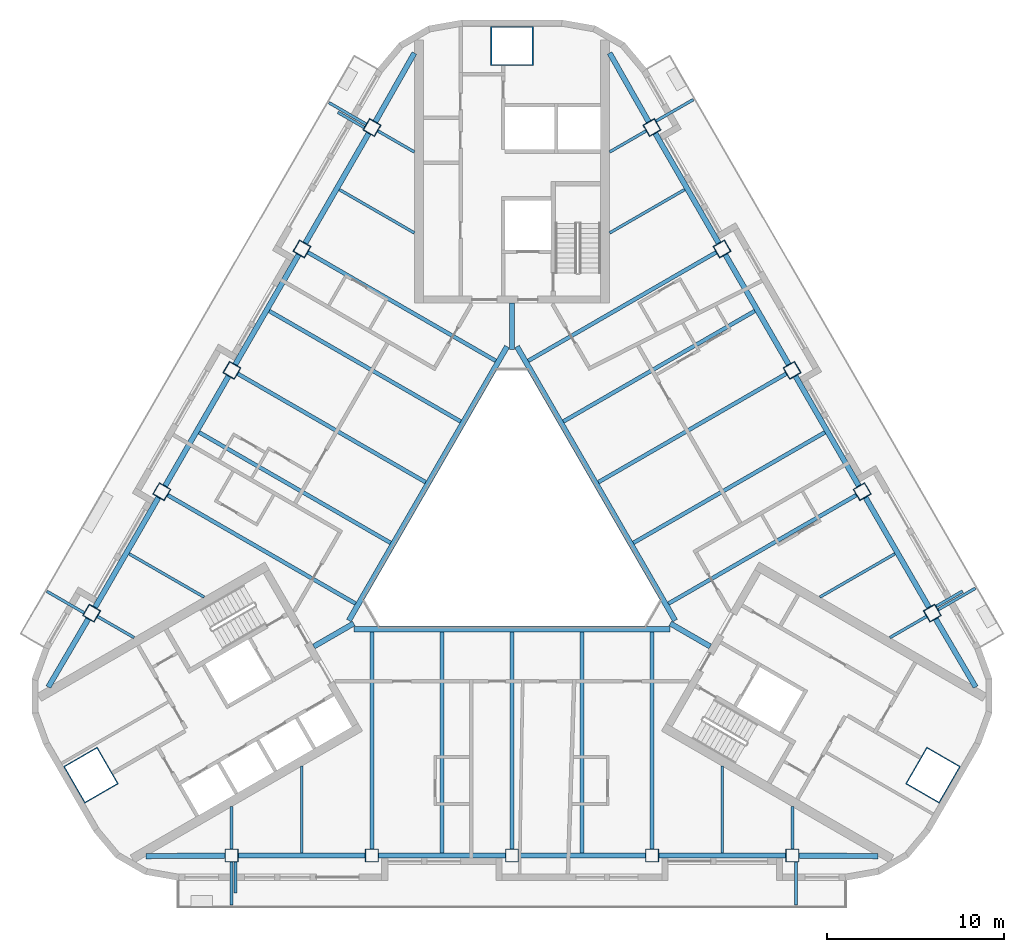
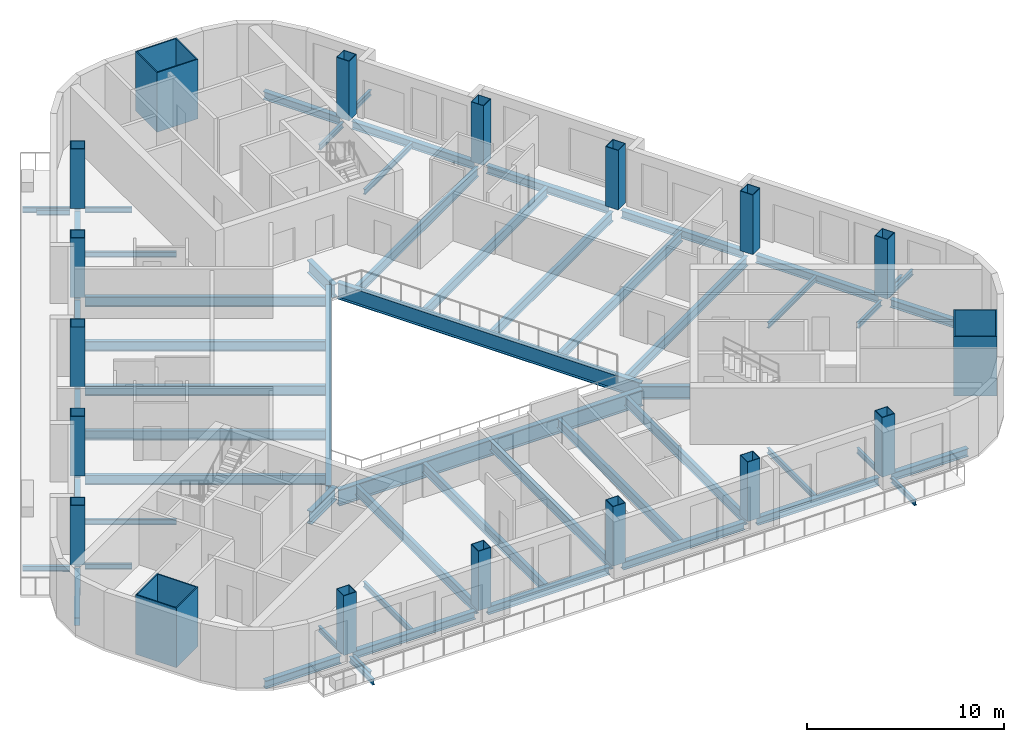
# One storey, part 1 of 14: 60 beams, 18 columns.
"""IFC4 building model written with IfcOpenShell, lengths in metres."""

from ifc_helpers import new_model, si_unit, direction, frame, origin, origin_2d, place, context, subcontext, project, spatial, rectangle, hollow_rectangle, i_section, extrude, material, material_profile, profile_set, type_object, element, save


model = new_model("IFC4")

# Units and contexts
model_context = context("Model", 3, precision=1e-05, world=origin(), true_north=direction((0.0, 1.0)))
body_context = subcontext(model_context, "Body", "Model", "MODEL_VIEW")
ifc_project = project(units=[si_unit("LENGTHUNIT", "METRE"), si_unit("AREAUNIT", "SQUARE_METRE"), si_unit("VOLUMEUNIT", "CUBIC_METRE"), si_unit("PLANEANGLEUNIT", "RADIAN"), si_unit("MASSUNIT", "GRAM", prefix="KILO")], contexts=[model_context])

# Site, building, storey
site_placement = place(None, origin())
site = spatial("IfcSite", under=ifc_project, at=site_placement, CompositionType="ELEMENT")
building_placement = place(site_placement, origin())
building = spatial("IfcBuilding", under=site, at=building_placement, Name="Apuvela Tower Hotel", CompositionType="ELEMENT")
storey_placement = place(building_placement, frame((0.0, 0.0, 209.5)))
storey = spatial("IfcBuildingStorey", under=building, at=storey_placement, Name="L51", CompositionType="ELEMENT", Elevation=209.5)

# Columns
ifc_material_1 = material(Name="Steel S460", Category="steel")
ifc_material_profile_1 = material_profile(ifc_material_1, hollow_rectangle(XDim=2.39990234375, YDim=2.199951171875, WallThickness=0.06005859375, at=origin_2d()), Name="BOX 2400x2200x60")
ifc_material_2 = material(Name="Concrete C80/95", Category="concrete")
ifc_material_profile_2 = material_profile(ifc_material_2, rectangle(XDim=2.280029296875, YDim=2.080078125, at=origin_2d()), Name="Concrete C80/95 infill")
ifc_profile_set_1 = profile_set([ifc_material_profile_1, ifc_material_profile_2], Name="Steel S460")
column_type_1 = type_object("IfcColumnType", Name="STR-MC mega column BOX 2400x2200x60", PredefinedType="COLUMN", material=ifc_profile_set_1)
for number, where, z_axis, x_axis, name in (
    (1, (0.0, 27.39990234375, 0.0), (0.0, 0.0, 1.0), (1.0, 0.0, 0.0), "Mega column MC3 N"),
    (2, (-23.72900390625, -13.699951171875, 0.0), (0.0, 0.0, 1.0), (-0.5, 0.866025403784, 0.0), "Mega column MC3 SW"),
    (3, (23.72900390625, -13.699951171875, 0.0), (0.0, 0.0, 1.0), (0.5, 0.866025403784, 0.0), "Mega column MC3 SE"),
):
    element("IfcColumn", number, at=place(storey_placement, frame(where, z_axis=z_axis, x_axis=x_axis)), inside=storey, type_object=column_type_1, Name=name, PredefinedType="COLUMN", context=body_context, shape_type="SweptSolid", body=[
        extrude(hollow_rectangle(XDim=2.39990234375, YDim=2.199951171875, WallThickness=0.06005859375, at=origin_2d()), origin(), (0.0, 0.0, 1.0), 3.699951171875),
    ])
ifc_material_profile_3 = material_profile(ifc_material_1, hollow_rectangle(XDim=0.75, YDim=0.75, WallThickness=0.034912109375, at=origin_2d()), Name="BOX 750x750x35")
ifc_material_profile_4 = material_profile(ifc_material_2, rectangle(XDim=0.679931640625, YDim=0.679931640625, at=origin_2d()), Name="Concrete C80/95 infill")
ifc_profile_set_2 = profile_set([ifc_material_profile_3, ifc_material_profile_4], Name="Steel S460")
column_type_2 = type_object("IfcColumnType", Name="STR-PC perimeter column BOX 750x750x35", PredefinedType="COLUMN", material=ifc_profile_set_2)
for number, where, z_axis, x_axis, name in (
    (4, (-15.800048828125, -18.22998046875, 0.0), (0.0, 0.0, 1.0), (-1.0, 0.0, 0.0), "Perimeter column C5 S1"),
    (5, (-7.89990234375, -18.22998046875, 0.0), (0.0, 0.0, 1.0), (-1.0, 0.0, 0.0), "Perimeter column C5 S2"),
    (6, (0.0, -18.22998046875, 0.0), (0.0, 0.0, 1.0), (-1.0, 0.0, 0.0), "Perimeter column C5 S3"),
    (7, (7.89990234375, -18.22998046875, 0.0), (0.0, 0.0, 1.0), (-1.0, 0.0, 0.0), "Perimeter column C5 S4"),
    (8, (15.800048828125, -18.22998046875, 0.0), (0.0, 0.0, 1.0), (-1.0, 0.0, 0.0), "Perimeter column C5 S5"),
    (9, (23.6875, -4.568115234375, 0.0), (0.0, 0.0, 1.0), (-0.5, 0.866025403784, 0.0), "Perimeter column C5 NE1"),
    (10, (19.737548828125, 2.2734375, 0.0), (0.0, 0.0, 1.0), (-0.5, 0.866025403784, 0.0), "Perimeter column C5 NE2"),
    (11, (15.78759765625, 9.114990234375, 0.0), (0.0, 0.0, 1.0), (-0.5, 0.866025403784, 0.0), "Perimeter column C5 NE3"),
    (12, (11.837646484375, 15.95654296875, 0.0), (0.0, 0.0, 1.0), (-0.5, 0.866025403784, 0.0), "Perimeter column C5 NE4"),
    (13, (7.8876953125, 22.798095703125, 0.0), (0.0, 0.0, 1.0), (-0.5, 0.866025403784, 0.0), "Perimeter column C5 NE5"),
    (14, (-7.8876953125, 22.798095703125, 0.0), (0.0, 0.0, 1.0), (0.5, 0.866025403784, 0.0), "Perimeter column C5 NW1"),
    (15, (-11.837646484375, 15.95654296875, 0.0), (0.0, 0.0, 1.0), (0.5, 0.866025403784, 0.0), "Perimeter column C5 NW2"),
    (16, (-15.78759765625, 9.114990234375, 0.0), (0.0, 0.0, 1.0), (0.5, 0.866025403784, 0.0), "Perimeter column C5 NW3"),
    (17, (-19.737548828125, 2.2734375, 0.0), (0.0, 0.0, 1.0), (0.5, 0.866025403784, 0.0), "Perimeter column C5 NW4"),
    (18, (-23.6875, -4.568115234375, 0.0), (0.0, 0.0, 1.0), (0.5, 0.866025403784, 0.0), "Perimeter column C5 NW5"),
):
    element("IfcColumn", number, at=place(storey_placement, frame(where, z_axis=z_axis, x_axis=x_axis)), inside=storey, type_object=column_type_2, Name=name, PredefinedType="COLUMN", context=body_context, shape_type="SweptSolid", body=[
        extrude(hollow_rectangle(XDim=0.75, YDim=0.75, WallThickness=0.034912109375, at=origin_2d()), origin(), (0.0, 0.0, 1.0), 3.699951171875),
    ])

# Beams
ifc_material_3 = material(Name="Steel S355", Category="steel")
ifc_material_profile_5 = material_profile(ifc_material_3, i_section(OverallWidth=0.159912109375, OverallDepth=0.330078125, WebThickness=0.007568359375, FlangeThickness=0.011474609375, at=origin_2d()), Name="IPE 330")
ifc_profile_set_3 = profile_set([ifc_material_profile_5], Name="Steel S355")
beam_type_1 = type_object("IfcBeamType", Name="ENV-BALCONY-BEAM-IPE330", PredefinedType="BEAM", material=ifc_profile_set_3)
beam_1_placement = place(storey_placement, frame((-15.800048828125, -18.60498046875, -0.31494140625), z_axis=(0.0, -1.0, 0.0), x_axis=(1.0, 0.0, 0.0)))
element("IfcBeam", 19, at=beam_1_placement, inside=storey, type_object=beam_type_1, Name="Balcony cantilever beam S1 L51", PredefinedType="BEAM", context=body_context, shape_type="SweptSolid", body=[
    extrude(i_section(OverallWidth=0.159912109375, OverallDepth=0.330078125, WebThickness=0.007568359375, FlangeThickness=0.011474609375, at=origin_2d()), origin(), (0.0, 0.0, 1.0), 2.425048828125),
])
beam_2_placement = place(storey_placement, frame((-15.580078125, -18.60498046875, -0.31494140625), z_axis=(0.0, -1.0, 0.0), x_axis=(1.0, 0.0, 0.0)))
element("IfcBeam", 20, at=beam_2_placement, inside=storey, type_object=beam_type_1, Name="Balcony cantilever beam S2 L51", PredefinedType="BEAM", context=body_context, shape_type="SweptSolid", body=[
    extrude(i_section(OverallWidth=0.159912109375, OverallDepth=0.330078125, WebThickness=0.007568359375, FlangeThickness=0.011474609375, at=origin_2d()), origin(), (0.0, 0.0, 1.0), 1.72509765625),
])
for number, where, z_axis, x_axis, name in (
    (21, (16.0, -18.60498046875, -0.31494140625), (0.0, -1.0, 0.0), (1.0, 0.0, 0.0), "Balcony cantilever beam S3 L51"),
    (22, (24.012451171875, -4.380615234375, -0.31494140625), (0.866041403502, 0.499972286653, 0.0), (-0.499972286653, 0.866041403502, 0.0), "Balcony cantilever beam NE1 L51"),
):
    element("IfcBeam", number, at=place(storey_placement, frame(where, z_axis=z_axis, x_axis=x_axis)), inside=storey, type_object=beam_type_1, Name=name, PredefinedType="BEAM", context=body_context, shape_type="SweptSolid", body=[
        extrude(i_section(OverallWidth=0.159912109375, OverallDepth=0.330078125, WebThickness=0.007568359375, FlangeThickness=0.011474609375, at=origin_2d()), origin(), (0.0, 0.0, 1.0), 2.425048828125),
    ])
beam_3_placement = place(storey_placement, frame((23.90234375, -4.190185546875, -0.31494140625), z_axis=(0.866013532718, 0.500020560727, 0.0), x_axis=(-0.500020560727, 0.866013532718, 0.0)))
element("IfcBeam", 23, at=beam_3_placement, inside=storey, type_object=beam_type_1, Name="Balcony cantilever beam NE2 L51", PredefinedType="BEAM", context=body_context, shape_type="SweptSolid", body=[
    extrude(i_section(OverallWidth=0.159912109375, OverallDepth=0.330078125, WebThickness=0.007568359375, FlangeThickness=0.011474609375, at=origin_2d()), origin(), (0.0, 0.0, 1.0), 1.72509765625),
])
for number, where, z_axis, x_axis, name in (
    (24, (8.1123046875, 23.158935546875, -0.31494140625), (0.866041403502, 0.499972286653, 0.0), (-0.499972286653, 0.866041403502, 0.0), "Balcony cantilever beam NE3 L51"),
    (25, (-8.21240234375, 22.985595703125, -0.31494140625), (-0.865997808697, 0.500047793048, 0.0), (-0.500047793048, -0.865997808697, 0.0), "Balcony cantilever beam NW1 L51"),
):
    element("IfcBeam", number, at=place(storey_placement, frame(where, z_axis=z_axis, x_axis=x_axis)), inside=storey, type_object=beam_type_1, Name=name, PredefinedType="BEAM", context=body_context, shape_type="SweptSolid", body=[
        extrude(i_section(OverallWidth=0.159912109375, OverallDepth=0.330078125, WebThickness=0.007568359375, FlangeThickness=0.011474609375, at=origin_2d()), origin(), (0.0, 0.0, 1.0), 2.425048828125),
    ])
beam_4_placement = place(storey_placement, frame((-8.322509765625, 22.795166015625, -0.31494140625), z_axis=(-0.866013532718, 0.500020560727, 0.0), x_axis=(-0.500020560727, -0.866013532718, 0.0)))
element("IfcBeam", 26, at=beam_4_placement, inside=storey, type_object=beam_type_1, Name="Balcony cantilever beam NW2 L51", PredefinedType="BEAM", context=body_context, shape_type="SweptSolid", body=[
    extrude(i_section(OverallWidth=0.159912109375, OverallDepth=0.330078125, WebThickness=0.007568359375, FlangeThickness=0.011474609375, at=origin_2d()), origin(), (0.0, 0.0, 1.0), 1.72509765625),
])
beam_5_placement = place(storey_placement, frame((-24.1123046875, -4.553955078125, -0.31494140625), z_axis=(-0.865997808697, 0.500047793048, 0.0), x_axis=(-0.500047793048, -0.865997808697, 0.0)))
element("IfcBeam", 27, at=beam_5_placement, inside=storey, type_object=beam_type_1, Name="Balcony cantilever beam NW3 L51", PredefinedType="BEAM", context=body_context, shape_type="SweptSolid", body=[
    extrude(i_section(OverallWidth=0.159912109375, OverallDepth=0.330078125, WebThickness=0.007568359375, FlangeThickness=0.011474609375, at=origin_2d()), origin(), (0.0, 0.0, 1.0), 2.425048828125),
])
ifc_material_profile_6 = material_profile(ifc_material_3, i_section(OverallWidth=0.159912109375, OverallDepth=0.330078125, WebThickness=0.007568359375, FlangeThickness=0.011474609375, at=origin_2d()), Name="IPE 330")
ifc_profile_set_4 = profile_set([ifc_material_profile_6], Name="Steel S355")
beam_type_2 = type_object("IfcBeamType", Name="STR-B floor beam IPE 330", PredefinedType="BEAM", material=ifc_profile_set_4)
beam_6_placement = place(storey_placement, frame((23.36279296875, -4.755615234375, -0.31494140625), z_axis=(-0.865982457891, -0.500074377092, 0.0), x_axis=(0.500074377092, -0.865982457891, 0.0)))
element("IfcBeam", 28, at=beam_6_placement, inside=storey, type_object=beam_type_2, Name="Floor beam B1 NE1", PredefinedType="BEAM", context=body_context, shape_type="SweptSolid", body=[
    extrude(i_section(OverallWidth=0.159912109375, OverallDepth=0.330078125, WebThickness=0.007568359375, FlangeThickness=0.011474609375, at=origin_2d()), origin(), (0.0, 0.0, 1.0), 2.382080078125),
])
for number, where, z_axis, x_axis, name in (
    (29, (21.582763671875, -1.222412109375, -0.31494140625), (-0.866015056278, -0.500017921979, 0.0), (0.500017921979, -0.866015056278, 0.0), "Floor beam B1 NE2"),
    (30, (9.732666015625, 19.302490234375, -0.31494140625), (-0.866015056278, -0.500017921979, 0.0), (0.500017921979, -0.866015056278, 0.0), "Floor beam B1 NE8"),
):
    element("IfcBeam", number, at=place(storey_placement, frame(where, z_axis=z_axis, x_axis=x_axis)), inside=storey, type_object=beam_type_2, Name=name, PredefinedType="BEAM", context=body_context, shape_type="SweptSolid", body=[
        extrude(i_section(OverallWidth=0.159912109375, OverallDepth=0.330078125, WebThickness=0.007568359375, FlangeThickness=0.011474609375, at=origin_2d()), origin(), (0.0, 0.0, 1.0), 4.887451171875),
    ])
for number, where, z_axis, x_axis, name in (
    (31, (7.56298828125, 22.610595703125, -0.31494140625), (-0.866052464367, -0.499953126767, 0.0), (0.499953126767, -0.866052464367, 0.0), "Floor beam B1 NE9"),
    (32, (-7.56298828125, 22.610595703125, -0.31494140625), (0.866052464367, -0.499953126767, 0.0), (0.499953126767, 0.866052464367, 0.0), "Floor beam B1 NW1"),
):
    element("IfcBeam", number, at=place(storey_placement, frame(where, z_axis=z_axis, x_axis=x_axis)), inside=storey, type_object=beam_type_2, Name=name, PredefinedType="BEAM", context=body_context, shape_type="SweptSolid", body=[
        extrude(i_section(OverallWidth=0.159912109375, OverallDepth=0.330078125, WebThickness=0.007568359375, FlangeThickness=0.011474609375, at=origin_2d()), origin(), (0.0, 0.0, 1.0), 2.382080078125),
    ])
for number, where, z_axis, x_axis, name in (
    (33, (-9.732666015625, 19.302490234375, -0.31494140625), (0.866015056278, -0.500017921979, 0.0), (0.500017921979, 0.866015056278, 0.0), "Floor beam B1 NW2"),
    (34, (-21.582763671875, -1.222412109375, -0.31494140625), (0.866015056278, -0.500017921979, 0.0), (0.500017921979, 0.866015056278, 0.0), "Floor beam B1 NW8"),
):
    element("IfcBeam", number, at=place(storey_placement, frame(where, z_axis=z_axis, x_axis=x_axis)), inside=storey, type_object=beam_type_2, Name=name, PredefinedType="BEAM", context=body_context, shape_type="SweptSolid", body=[
        extrude(i_section(OverallWidth=0.159912109375, OverallDepth=0.330078125, WebThickness=0.007568359375, FlangeThickness=0.011474609375, at=origin_2d()), origin(), (0.0, 0.0, 1.0), 4.887451171875),
    ])
for number, where, z_axis, x_axis, name in (
    (35, (-23.36279296875, -4.755615234375, -0.31494140625), (0.865982457891, -0.500074377092, 0.0), (0.500074377092, 0.865982457891, 0.0), "Floor beam B1 NW9"),
    (36, (-15.800048828125, -17.85498046875, -0.31494140625), (0.0, 1.0, 0.0), (-1.0, 0.0, 0.0), "Floor beam B1 S1"),
):
    element("IfcBeam", number, at=place(storey_placement, frame(where, z_axis=z_axis, x_axis=x_axis)), inside=storey, type_object=beam_type_2, Name=name, PredefinedType="BEAM", context=body_context, shape_type="SweptSolid", body=[
        extrude(i_section(OverallWidth=0.159912109375, OverallDepth=0.330078125, WebThickness=0.007568359375, FlangeThickness=0.011474609375, at=origin_2d()), origin(), (0.0, 0.0, 1.0), 2.382080078125),
    ])
for number, where, z_axis, x_axis, name in (
    (37, (-11.85009765625, -18.080078125, -0.31494140625), (0.0, 1.0, 0.0), (-1.0, 0.0, 0.0), "Floor beam B1 S2"),
    (38, (11.85009765625, -18.080078125, -0.31494140625), (0.0, 1.0, 0.0), (-1.0, 0.0, 0.0), "Floor beam B1 S8"),
):
    element("IfcBeam", number, at=place(storey_placement, frame(where, z_axis=z_axis, x_axis=x_axis)), inside=storey, type_object=beam_type_2, Name=name, PredefinedType="BEAM", context=body_context, shape_type="SweptSolid", body=[
        extrude(i_section(OverallWidth=0.159912109375, OverallDepth=0.330078125, WebThickness=0.007568359375, FlangeThickness=0.011474609375, at=origin_2d()), origin(), (0.0, 0.0, 1.0), 4.8876953125),
    ])
beam_7_placement = place(storey_placement, frame((15.800048828125, -17.85498046875, -0.31494140625), z_axis=(0.0, 1.0, 0.0), x_axis=(-1.0, 0.0, 0.0)))
element("IfcBeam", 39, at=beam_7_placement, inside=storey, type_object=beam_type_2, Name="Floor beam B1 S9", PredefinedType="BEAM", context=body_context, shape_type="SweptSolid", body=[
    extrude(i_section(OverallWidth=0.159912109375, OverallDepth=0.330078125, WebThickness=0.007568359375, FlangeThickness=0.011474609375, at=origin_2d()), origin(), (0.0, 0.0, 1.0), 2.382080078125),
])
ifc_material_profile_7 = material_profile(ifc_material_3, i_section(OverallWidth=0.219970703125, OverallDepth=0.60009765625, WebThickness=0.011962890625, FlangeThickness=0.01904296875, at=origin_2d()), Name="IPE 600")
ifc_profile_set_5 = profile_set([ifc_material_profile_7], Name="Steel S355")
beam_type_3 = type_object("IfcBeamType", Name="STR-B floor beam IPE 600", PredefinedType="BEAM", material=ifc_profile_set_5)
beam_8_placement = place(storey_placement, frame((19.412841796875, 2.0859375, -0.449951171875), z_axis=(-0.866025418325, -0.499999974815, 0.0), x_axis=(0.499999974815, -0.866025418325, 0.0)))
element("IfcBeam", 40, at=beam_8_placement, inside=storey, type_object=beam_type_3, Name="Floor beam B8 NE3", PredefinedType="BEAM", context=body_context, shape_type="SweptSolid", body=[
    extrude(i_section(OverallWidth=0.219970703125, OverallDepth=0.60009765625, WebThickness=0.011962890625, FlangeThickness=0.01904296875, at=origin_2d()), origin(), (0.0, 0.0, 1.0), 12.23486328125),
])
beam_9_placement = place(storey_placement, frame((17.6328125, 5.619140625, -0.449951171875), z_axis=(-0.866027987673, -0.499995524547, 0.0), x_axis=(0.499995524547, -0.866027987673, 0.0)))
element("IfcBeam", 41, at=beam_9_placement, inside=storey, type_object=beam_type_3, Name="Floor beam B8 NE4", PredefinedType="BEAM", context=body_context, shape_type="SweptSolid", body=[
    extrude(i_section(OverallWidth=0.219970703125, OverallDepth=0.60009765625, WebThickness=0.011962890625, FlangeThickness=0.01904296875, at=origin_2d()), origin(), (0.0, 0.0, 1.0), 12.4599609375),
])
beam_10_placement = place(storey_placement, frame((15.462890625, 8.927490234375, -0.449951171875), z_axis=(-0.866025418325, -0.499999974815, 0.0), x_axis=(0.499999974815, -0.866025418325, 0.0)))
element("IfcBeam", 42, at=beam_10_placement, inside=storey, type_object=beam_type_3, Name="Floor beam B8 NE5", PredefinedType="BEAM", context=body_context, shape_type="SweptSolid", body=[
    extrude(i_section(OverallWidth=0.219970703125, OverallDepth=0.60009765625, WebThickness=0.011962890625, FlangeThickness=0.01904296875, at=origin_2d()), origin(), (0.0, 0.0, 1.0), 12.23486328125),
])
beam_11_placement = place(storey_placement, frame((13.6826171875, 12.460693359375, -0.449951171875), z_axis=(-0.866023089177, -0.500004008996, 0.0), x_axis=(0.500004008996, -0.866023089177, 0.0)))
element("IfcBeam", 43, at=beam_11_placement, inside=storey, type_object=beam_type_3, Name="Floor beam B8 NE6", PredefinedType="BEAM", context=body_context, shape_type="SweptSolid", body=[
    extrude(i_section(OverallWidth=0.219970703125, OverallDepth=0.60009765625, WebThickness=0.011962890625, FlangeThickness=0.01904296875, at=origin_2d()), origin(), (0.0, 0.0, 1.0), 12.4599609375),
])
for number, where, z_axis, x_axis, name in (
    (44, (11.512939453125, 15.76904296875, -0.449951171875), (-0.866030406821, -0.499991334387, 0.0), (0.499991334387, -0.866030406821, 0.0), "Floor beam B8 NE7"),
    (45, (-11.512939453125, 15.76904296875, -0.449951171875), (0.866030406821, -0.499991334387, 0.0), (0.499991334387, 0.866030406821, 0.0), "Floor beam B8 NW3"),
):
    element("IfcBeam", number, at=place(storey_placement, frame(where, z_axis=z_axis, x_axis=x_axis)), inside=storey, type_object=beam_type_3, Name=name, PredefinedType="BEAM", context=body_context, shape_type="SweptSolid", body=[
        extrude(i_section(OverallWidth=0.219970703125, OverallDepth=0.60009765625, WebThickness=0.011962890625, FlangeThickness=0.01904296875, at=origin_2d()), origin(), (0.0, 0.0, 1.0), 12.235107421875),
    ])
beam_12_placement = place(storey_placement, frame((-13.6826171875, 12.460693359375, -0.449951171875), z_axis=(0.866023089177, -0.500004008996, 0.0), x_axis=(0.500004008996, 0.866023089177, 0.0)))
element("IfcBeam", 46, at=beam_12_placement, inside=storey, type_object=beam_type_3, Name="Floor beam B8 NW4", PredefinedType="BEAM", context=body_context, shape_type="SweptSolid", body=[
    extrude(i_section(OverallWidth=0.219970703125, OverallDepth=0.60009765625, WebThickness=0.011962890625, FlangeThickness=0.01904296875, at=origin_2d()), origin(), (0.0, 0.0, 1.0), 12.4599609375),
])
beam_13_placement = place(storey_placement, frame((-15.462890625, 8.927490234375, -0.449951171875), z_axis=(0.866025418325, -0.499999974815, 0.0), x_axis=(0.499999974815, 0.866025418325, 0.0)))
element("IfcBeam", 47, at=beam_13_placement, inside=storey, type_object=beam_type_3, Name="Floor beam B8 NW5", PredefinedType="BEAM", context=body_context, shape_type="SweptSolid", body=[
    extrude(i_section(OverallWidth=0.219970703125, OverallDepth=0.60009765625, WebThickness=0.011962890625, FlangeThickness=0.01904296875, at=origin_2d()), origin(), (0.0, 0.0, 1.0), 12.23486328125),
])
beam_14_placement = place(storey_placement, frame((-17.6328125, 5.619140625, -0.449951171875), z_axis=(0.866027987673, -0.499995524547, 0.0), x_axis=(0.499995524547, 0.866027987673, 0.0)))
element("IfcBeam", 48, at=beam_14_placement, inside=storey, type_object=beam_type_3, Name="Floor beam B8 NW6", PredefinedType="BEAM", context=body_context, shape_type="SweptSolid", body=[
    extrude(i_section(OverallWidth=0.219970703125, OverallDepth=0.60009765625, WebThickness=0.011962890625, FlangeThickness=0.01904296875, at=origin_2d()), origin(), (0.0, 0.0, 1.0), 12.4599609375),
])
for number, where, z_axis, x_axis, name in (
    (49, (-19.412841796875, 2.0859375, -0.449951171875), (0.866025418325, -0.499999974815, 0.0), (0.499999974815, 0.866025418325, 0.0), "Floor beam B8 NW7"),
    (50, (-7.89990234375, -17.85498046875, -0.449951171875), (0.0, 1.0, 0.0), (-1.0, 0.0, 0.0), "Floor beam B8 S3"),
):
    element("IfcBeam", number, at=place(storey_placement, frame(where, z_axis=z_axis, x_axis=x_axis)), inside=storey, type_object=beam_type_3, Name=name, PredefinedType="BEAM", context=body_context, shape_type="SweptSolid", body=[
        extrude(i_section(OverallWidth=0.219970703125, OverallDepth=0.60009765625, WebThickness=0.011962890625, FlangeThickness=0.01904296875, at=origin_2d()), origin(), (0.0, 0.0, 1.0), 12.23486328125),
    ])
beam_15_placement = place(storey_placement, frame((-3.949951171875, -18.080078125, -0.449951171875), z_axis=(0.0, 1.0, 0.0), x_axis=(-1.0, 0.0, 0.0)))
element("IfcBeam", 51, at=beam_15_placement, inside=storey, type_object=beam_type_3, Name="Floor beam B8 S4", PredefinedType="BEAM", context=body_context, shape_type="SweptSolid", body=[
    extrude(i_section(OverallWidth=0.219970703125, OverallDepth=0.60009765625, WebThickness=0.011962890625, FlangeThickness=0.01904296875, at=origin_2d()), origin(), (0.0, 0.0, 1.0), 12.4599609375),
])
beam_16_placement = place(storey_placement, frame((0.0, -17.85498046875, -0.449951171875), z_axis=(0.0, 1.0, 0.0), x_axis=(-1.0, 0.0, 0.0)))
element("IfcBeam", 52, at=beam_16_placement, inside=storey, type_object=beam_type_3, Name="Floor beam B8 S5", PredefinedType="BEAM", context=body_context, shape_type="SweptSolid", body=[
    extrude(i_section(OverallWidth=0.219970703125, OverallDepth=0.60009765625, WebThickness=0.011962890625, FlangeThickness=0.01904296875, at=origin_2d()), origin(), (0.0, 0.0, 1.0), 12.23486328125),
])
beam_17_placement = place(storey_placement, frame((3.949951171875, -18.080078125, -0.449951171875), z_axis=(0.0, 1.0, 0.0), x_axis=(-1.0, 0.0, 0.0)))
element("IfcBeam", 53, at=beam_17_placement, inside=storey, type_object=beam_type_3, Name="Floor beam B8 S6", PredefinedType="BEAM", context=body_context, shape_type="SweptSolid", body=[
    extrude(i_section(OverallWidth=0.219970703125, OverallDepth=0.60009765625, WebThickness=0.011962890625, FlangeThickness=0.01904296875, at=origin_2d()), origin(), (0.0, 0.0, 1.0), 12.4599609375),
])
beam_18_placement = place(storey_placement, frame((7.89990234375, -17.85498046875, -0.449951171875), z_axis=(0.0, 1.0, 0.0), x_axis=(-1.0, 0.0, 0.0)))
element("IfcBeam", 54, at=beam_18_placement, inside=storey, type_object=beam_type_3, Name="Floor beam B8 S7", PredefinedType="BEAM", context=body_context, shape_type="SweptSolid", body=[
    extrude(i_section(OverallWidth=0.219970703125, OverallDepth=0.60009765625, WebThickness=0.011962890625, FlangeThickness=0.01904296875, at=origin_2d()), origin(), (0.0, 0.0, 1.0), 12.23486328125),
])
ifc_material_profile_8 = material_profile(ifc_material_3, i_section(OverallWidth=0.300048828125, OverallDepth=1.0, WebThickness=0.01904296875, FlangeThickness=0.035888671875, at=origin_2d()), Name="HE 1000 B")
ifc_profile_set_6 = profile_set([ifc_material_profile_8], Name="Steel S355")
beam_type_4 = type_object("IfcBeamType", Name="STR-G atrium ring girder HE 1000 B", PredefinedType="BEAM", material=ifc_profile_set_6)
beam_19_placement = place(storey_placement, frame((-0.27978515625, 10.455078125, -0.64990234375), z_axis=(-0.500006541319, -0.866021627119, 0.0), x_axis=(0.866021627119, -0.500006541319, 0.0)))
element("IfcBeam", 55, at=beam_19_placement, inside=storey, type_object=beam_type_4, Name="Atrium ring girder G2 N-SW", PredefinedType="BEAM", context=body_context, shape_type="SweptSolid", body=[
    extrude(i_section(OverallWidth=0.300048828125, OverallDepth=1.0, WebThickness=0.01904296875, FlangeThickness=0.035888671875, at=origin_2d()), origin(), (0.0, 0.0, 1.0), 17.828857421875),
])
beam_20_placement = place(storey_placement, frame((-8.91455078125, -5.469970703125, -0.64990234375), z_axis=(1.0, 0.0, 0.0), x_axis=(0.0, 1.0, 0.0)))
element("IfcBeam", 56, at=beam_20_placement, inside=storey, type_object=beam_type_4, Name="Atrium ring girder G2 SW-SE", PredefinedType="BEAM", context=body_context, shape_type="SweptSolid", body=[
    extrude(i_section(OverallWidth=0.300048828125, OverallDepth=1.0, WebThickness=0.01904296875, FlangeThickness=0.035888671875, at=origin_2d()), origin(), (0.0, 0.0, 1.0), 17.8291015625),
])
beam_21_placement = place(storey_placement, frame((9.1943359375, -4.985107421875, -0.64990234375), z_axis=(-0.500006541319, 0.866021627119, 0.0), x_axis=(-0.866021627119, -0.500006541319, 0.0)))
element("IfcBeam", 57, at=beam_21_placement, inside=storey, type_object=beam_type_4, Name="Atrium ring girder G2 SE-N", PredefinedType="BEAM", context=body_context, shape_type="SweptSolid", body=[
    extrude(i_section(OverallWidth=0.300048828125, OverallDepth=1.0, WebThickness=0.01904296875, FlangeThickness=0.035888671875, at=origin_2d()), origin(), (0.0, 0.0, 1.0), 17.828857421875),
])
ifc_material_profile_9 = material_profile(ifc_material_3, i_section(OverallWidth=0.300048828125, OverallDepth=0.800048828125, WebThickness=0.017578125, FlangeThickness=0.032958984375, at=origin_2d()), Name="HE 800 B")
ifc_profile_set_7 = profile_set([ifc_material_profile_9], Name="Steel S355")
beam_type_5 = type_object("IfcBeamType", Name="STR-GT core tie beam HE 800 B", PredefinedType="BEAM", material=ifc_profile_set_7)
for number, where, z_axis, x_axis, name in (
    (58, (0.0, 12.89990234375, -0.550048828125), (0.0, -1.0, 0.0), (1.0, 0.0, 0.0), "Core tie beam GT1 N"),
    (59, (-11.171630859375, -6.449951171875, -0.550048828125), (0.865997922154, 0.500047596559, 0.0), (-0.500047596559, 0.865997922154, 0.0), "Core tie beam GT1 SW"),
    (60, (11.171630859375, -6.449951171875, -0.550048828125), (-0.865997922154, 0.500047596559, 0.0), (-0.500047596559, -0.865997922154, 0.0), "Core tie beam GT1 SE"),
):
    element("IfcBeam", number, at=place(storey_placement, frame(where, z_axis=z_axis, x_axis=x_axis)), inside=storey, type_object=beam_type_5, Name=name, PredefinedType="BEAM", context=body_context, shape_type="SweptSolid", body=[
        extrude(i_section(OverallWidth=0.300048828125, OverallDepth=0.800048828125, WebThickness=0.017578125, FlangeThickness=0.032958984375, at=origin_2d()), origin(), (0.0, 0.0, 1.0), 2.599853515625),
    ])
ifc_material_profile_10 = material_profile(ifc_material_3, i_section(OverallWidth=0.300048828125, OverallDepth=0.489990234375, WebThickness=0.011962890625, FlangeThickness=0.02294921875, at=origin_2d()), Name="HE 500 A")
ifc_profile_set_8 = profile_set([ifc_material_profile_10], Name="Steel S355")
beam_type_6 = type_object("IfcBeamType", Name="STR-SB spandrel beam HE 500 A", PredefinedType="SPANDREL", material=ifc_profile_set_8)
beam_22_placement = place(storey_placement, frame((-15.425048828125, -18.22998046875, -0.39501953125), z_axis=(1.0, 0.0, 0.0), x_axis=(0.0, 1.0, 0.0)))
element("IfcBeam", 61, at=beam_22_placement, inside=storey, type_object=beam_type_6, Name="Spandrel beam SB3 S1", PredefinedType="SPANDREL", context=body_context, shape_type="SweptSolid", body=[
    extrude(i_section(OverallWidth=0.300048828125, OverallDepth=0.489990234375, WebThickness=0.011962890625, FlangeThickness=0.02294921875, at=origin_2d()), origin(), (0.0, 0.0, 1.0), 7.150146484375),
])
for number, where, z_axis, x_axis, name in (
    (62, (-7.52490234375, -18.22998046875, -0.39501953125), (1.0, 0.0, 0.0), (0.0, 1.0, 0.0), "Spandrel beam SB3 S2"),
    (63, (0.375, -18.22998046875, -0.39501953125), (1.0, 0.0, 0.0), (0.0, 1.0, 0.0), "Spandrel beam SB3 S3"),
):
    element("IfcBeam", number, at=place(storey_placement, frame(where, z_axis=z_axis, x_axis=x_axis)), inside=storey, type_object=beam_type_6, Name=name, PredefinedType="SPANDREL", context=body_context, shape_type="SweptSolid", body=[
        extrude(i_section(OverallWidth=0.300048828125, OverallDepth=0.489990234375, WebThickness=0.011962890625, FlangeThickness=0.02294921875, at=origin_2d()), origin(), (0.0, 0.0, 1.0), 7.14990234375),
    ])
beam_23_placement = place(storey_placement, frame((8.27490234375, -18.22998046875, -0.39501953125), z_axis=(1.0, 0.0, 0.0), x_axis=(0.0, 1.0, 0.0)))
element("IfcBeam", 64, at=beam_23_placement, inside=storey, type_object=beam_type_6, Name="Spandrel beam SB3 S4", PredefinedType="SPANDREL", context=body_context, shape_type="SweptSolid", body=[
    extrude(i_section(OverallWidth=0.300048828125, OverallDepth=0.489990234375, WebThickness=0.011962890625, FlangeThickness=0.02294921875, at=origin_2d()), origin(), (0.0, 0.0, 1.0), 7.150146484375),
])
beam_24_placement = place(storey_placement, frame((23.5, -4.243408203125, -0.39501953125), z_axis=(-0.500006209673, 0.866021818598, 0.0), x_axis=(-0.866021818598, -0.500006209673, 0.0)))
element("IfcBeam", 65, at=beam_24_placement, inside=storey, type_object=beam_type_6, Name="Spandrel beam SB3 NE1", PredefinedType="SPANDREL", context=body_context, shape_type="SweptSolid", body=[
    extrude(i_section(OverallWidth=0.300048828125, OverallDepth=0.489990234375, WebThickness=0.011962890625, FlangeThickness=0.02294921875, at=origin_2d()), origin(), (0.0, 0.0, 1.0), 7.14990234375),
])
for number, where, z_axis, x_axis, name in (
    (66, (19.550048828125, 2.59814453125, -0.39501953125), (-0.499991424076, 0.86603035504, 0.0), (-0.86603035504, -0.499991424076, 0.0), "Spandrel beam SB3 NE2"),
    (67, (15.60009765625, 9.439697265625, -0.39501953125), (-0.499991424076, 0.86603035504, 0.0), (-0.86603035504, -0.499991424076, 0.0), "Spandrel beam SB3 NE3"),
):
    element("IfcBeam", number, at=place(storey_placement, frame(where, z_axis=z_axis, x_axis=x_axis)), inside=storey, type_object=beam_type_6, Name=name, PredefinedType="SPANDREL", context=body_context, shape_type="SweptSolid", body=[
        extrude(i_section(OverallWidth=0.300048828125, OverallDepth=0.489990234375, WebThickness=0.011962890625, FlangeThickness=0.02294921875, at=origin_2d()), origin(), (0.0, 0.0, 1.0), 7.150146484375),
    ])
for number, where, z_axis, x_axis, name in (
    (68, (11.650146484375, 16.281494140625, -0.39501953125), (-0.500006209673, 0.866021818598, 0.0), (-0.866021818598, -0.500006209673, 0.0), "Spandrel beam SB3 NE4"),
    (69, (-8.0751953125, 22.473388671875, -0.39501953125), (-0.500006209673, -0.866021818598, 0.0), (0.866021818598, -0.500006209673, 0.0), "Spandrel beam SB3 NW1"),
):
    element("IfcBeam", number, at=place(storey_placement, frame(where, z_axis=z_axis, x_axis=x_axis)), inside=storey, type_object=beam_type_6, Name=name, PredefinedType="SPANDREL", context=body_context, shape_type="SweptSolid", body=[
        extrude(i_section(OverallWidth=0.300048828125, OverallDepth=0.489990234375, WebThickness=0.011962890625, FlangeThickness=0.02294921875, at=origin_2d()), origin(), (0.0, 0.0, 1.0), 7.14990234375),
    ])
for number, where, z_axis, x_axis, name in (
    (70, (-12.025146484375, 15.6318359375, -0.39501953125), (-0.499991424076, -0.86603035504, 0.0), (0.86603035504, -0.499991424076, 0.0), "Spandrel beam SB3 NW2"),
    (71, (-15.97509765625, 8.790283203125, -0.39501953125), (-0.499991424076, -0.86603035504, 0.0), (0.86603035504, -0.499991424076, 0.0), "Spandrel beam SB3 NW3"),
):
    element("IfcBeam", number, at=place(storey_placement, frame(where, z_axis=z_axis, x_axis=x_axis)), inside=storey, type_object=beam_type_6, Name=name, PredefinedType="SPANDREL", context=body_context, shape_type="SweptSolid", body=[
        extrude(i_section(OverallWidth=0.300048828125, OverallDepth=0.489990234375, WebThickness=0.011962890625, FlangeThickness=0.02294921875, at=origin_2d()), origin(), (0.0, 0.0, 1.0), 7.150146484375),
    ])
beam_25_placement = place(storey_placement, frame((-19.925048828125, 1.948486328125, -0.39501953125), z_axis=(-0.500006209673, -0.866021818598, 0.0), x_axis=(0.866021818598, -0.500006209673, 0.0)))
element("IfcBeam", 72, at=beam_25_placement, inside=storey, type_object=beam_type_6, Name="Spandrel beam SB3 NW4", PredefinedType="SPANDREL", context=body_context, shape_type="SweptSolid", body=[
    extrude(i_section(OverallWidth=0.300048828125, OverallDepth=0.489990234375, WebThickness=0.011962890625, FlangeThickness=0.02294921875, at=origin_2d()), origin(), (0.0, 0.0, 1.0), 7.14990234375),
])
for number, where, z_axis, x_axis, name in (
    (73, (-16.175048828125, -18.232666015625, -0.39501953125), (-0.999976567383, -0.006845778571, 0.0), (0.006845778571, -0.999976567383, 0.0), "Spandrel beam SB3 S1-SW"),
    (74, (16.175048828125, -18.232666015625, -0.39501953125), (0.999976567383, -0.006845778571, 0.0), (0.006845778571, 0.999976567383, 0.0), "Spandrel beam SB3 S5-SE"),
    (75, (23.87744140625, -4.8916015625, -0.39501953125), (0.505933122104, -0.862572707636, 0.0), (0.862572707636, 0.505933122104, 0.0), "Spandrel beam SB3 NE1-SE"),
    (76, (7.702392578125, 23.124267578125, -0.39501953125), (-0.494055513212, 0.869430359411, 0.0), (-0.869430359411, -0.494055513212, 0.0), "Spandrel beam SB3 NE5-N"),
    (77, (-7.702392578125, 23.124267578125, -0.39501953125), (0.494055513212, 0.869430359411, 0.0), (-0.869430359411, 0.494055513212, 0.0), "Spandrel beam SB3 NW1-N"),
    (78, (-23.87744140625, -4.8916015625, -0.39501953125), (-0.505933122104, -0.862572707636, 0.0), (0.862572707636, -0.505933122104, 0.0), "Spandrel beam SB3 NW5-SW"),
):
    element("IfcBeam", number, at=place(storey_placement, frame(where, z_axis=z_axis, x_axis=x_axis)), inside=storey, type_object=beam_type_6, Name=name, PredefinedType="SPANDREL", context=body_context, shape_type="SweptSolid", body=[
        extrude(i_section(OverallWidth=0.300048828125, OverallDepth=0.489990234375, WebThickness=0.011962890625, FlangeThickness=0.02294921875, at=origin_2d()), origin(), (0.0, 0.0, 1.0), 4.457763671875),
    ])

save(model, "model.ifc")
